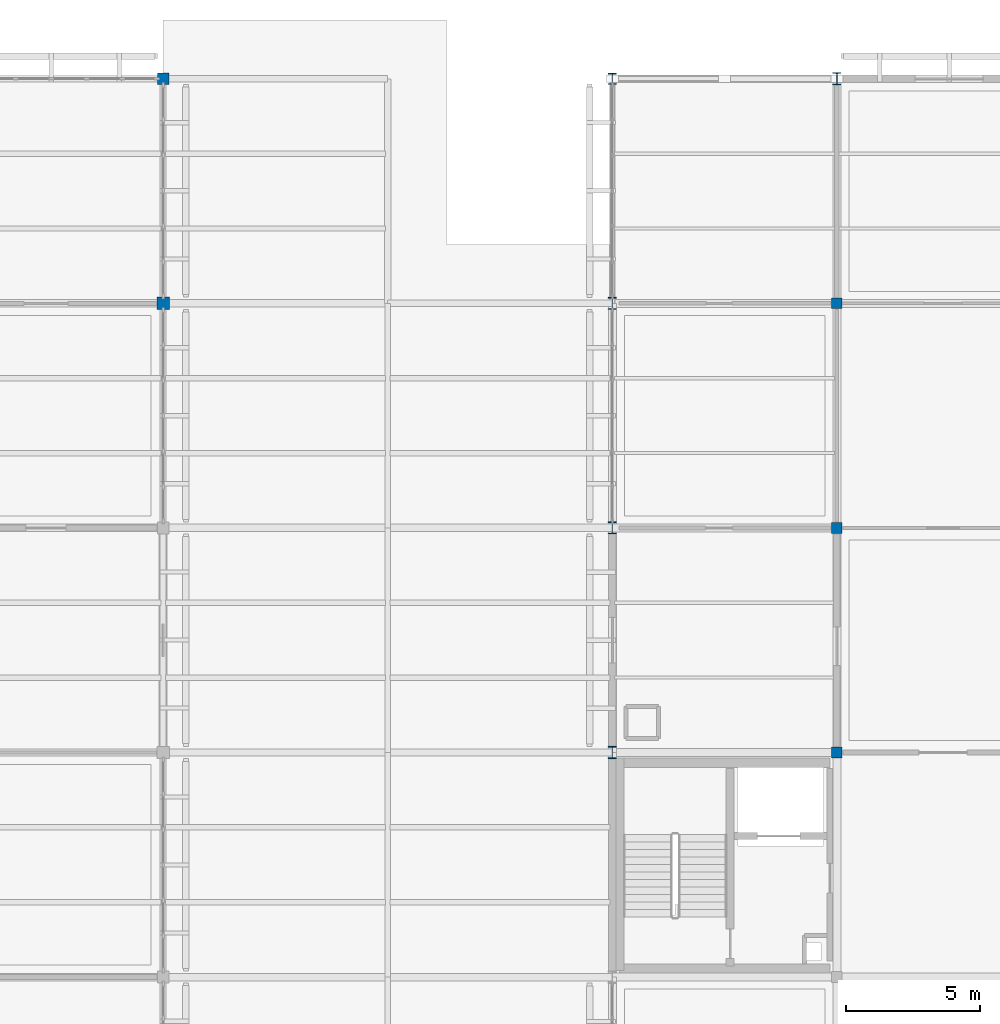
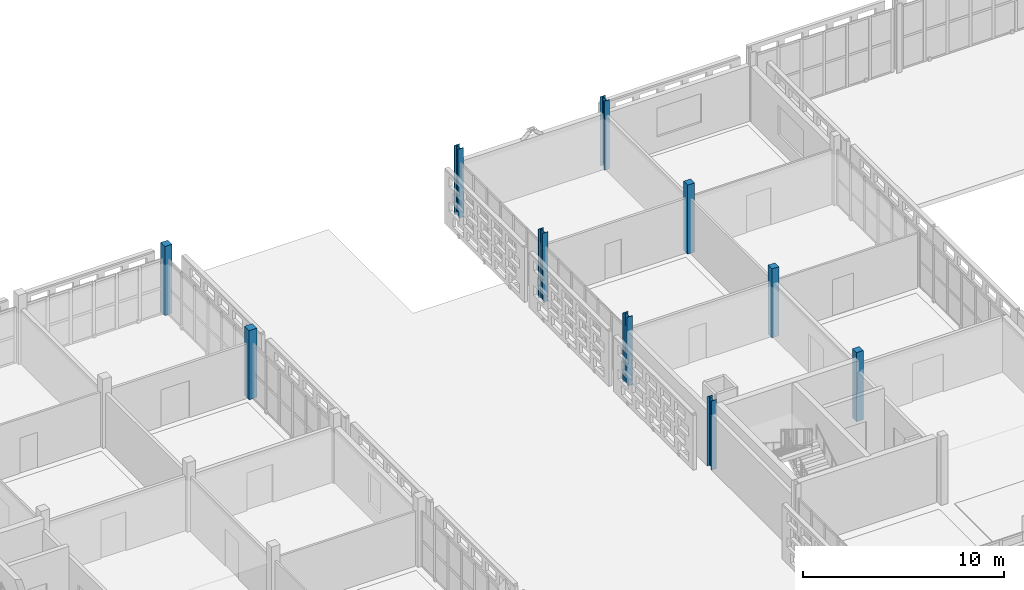
# One storey, part 6 of 166: 10 columns.
"""IFC4 building model written with IfcOpenShell, lengths in metres."""

from ifc_helpers import new_model, si_unit, direction, frame, origin, origin_2d, place, context, subcontext, project, spatial, rectangle, i_section, extrude, material, material_profile, profile_set, type_object, element, save


model = new_model("IFC4")

# Units and contexts
model_context = context("Model", 3, precision=1e-05, world=origin(), true_north=direction((0.0, 1.0)))
body_context = subcontext(model_context, "Body", "Model", "MODEL_VIEW")
ifc_project = project(units=[si_unit("LENGTHUNIT", "METRE"), si_unit("AREAUNIT", "SQUARE_METRE"), si_unit("VOLUMEUNIT", "CUBIC_METRE"), si_unit("PLANEANGLEUNIT", "RADIAN"), si_unit("MASSUNIT", "GRAM", prefix="KILO")], contexts=[model_context])

# Site, building, storey
site_placement = place(None, origin())
site = spatial("IfcSite", under=ifc_project, at=site_placement, CompositionType="ELEMENT")
building_placement = place(site_placement, origin())
building = spatial("IfcBuilding", under=site, at=building_placement, Name="Varnapada Polytechnic", CompositionType="ELEMENT")
storey_placement = place(building_placement, frame((0.0, 0.0, 9.60009765625)))
storey = spatial("IfcBuildingStorey", under=building, at=storey_placement, Name="L02", CompositionType="ELEMENT", Elevation=9.60009765625)

# Columns
ifc_material_1 = material(Name="Steel S355", Category="steel")
ifc_material_profile_1 = material_profile(ifc_material_1, i_section(OverallWidth=0.300048828125, OverallDepth=0.449951171875, WebThickness=0.013916015625, FlangeThickness=0.02587890625, FilletRadius=0.027099609375, at=origin_2d()), Name="HEB 450")
ifc_profile_set_1 = profile_set([ifc_material_profile_1], Name="Steel S355")
column_type_1 = type_object("IfcColumnType", Name="Column C-07 (HEB 450)", PredefinedType="COLUMN", material=ifc_profile_set_1)
for number, where, z_axis, x_axis, name in (
    (1, (50.39990234375, 100.800048828125, 0.0), (0.0, 0.0, 1.0), (1.0, 0.0, 0.0), "L02 column 7/13"),
    (2, (50.39990234375, 109.199951171875, 0.0), (0.0, 0.0, 1.0), (1.0, 0.0, 0.0), "L02 column 7/14"),
    (3, (50.39990234375, 117.60009765625, 0.0), (0.0, 0.0, 1.0), (1.0, 0.0, 0.0), "L02 column 7/15"),
    (4, (58.800048828125, 126.0, 0.0), (0.0, 0.0, 1.0), (1.0, 0.0, 0.0), "L02 column 8/16"),
):
    element("IfcColumn", number, at=place(storey_placement, frame(where, z_axis=z_axis, x_axis=x_axis)), inside=storey, type_object=column_type_1, Name=name, PredefinedType="COLUMN", context=body_context, shape_type="SweptSolid", body=[
        extrude(i_section(OverallWidth=0.300048828125, OverallDepth=0.449951171875, WebThickness=0.013916015625, FlangeThickness=0.02587890625, FilletRadius=0.027099609375, at=origin_2d()), origin(), (0.0, 0.0, 1.0), 4.199951171875),
    ])
ifc_material_profile_2 = material_profile(ifc_material_1, i_section(OverallWidth=0.300048828125, OverallDepth=0.39990234375, WebThickness=0.013427734375, FlangeThickness=0.02392578125, FilletRadius=0.027099609375, at=origin_2d()), Name="HEB 400")
ifc_profile_set_2 = profile_set([ifc_material_profile_2], Name="Steel S355")
column_type_2 = type_object("IfcColumnType", Name="Column C-08 (HEB 400)", PredefinedType="COLUMN", material=ifc_profile_set_2)
column_1_placement = place(storey_placement, frame((50.39990234375, 126.0, 0.0), z_axis=(0.0, 0.0, 1.0), x_axis=(1.0, 0.0, 0.0)))
element("IfcColumn", 5, at=column_1_placement, inside=storey, type_object=column_type_2, Name="L02 column 7/16", PredefinedType="COLUMN", context=body_context, shape_type="SweptSolid", body=[
    extrude(i_section(OverallWidth=0.300048828125, OverallDepth=0.39990234375, WebThickness=0.013427734375, FlangeThickness=0.02392578125, FilletRadius=0.027099609375, at=origin_2d()), origin(), (0.0, 0.0, 1.0), 4.199951171875),
])
ifc_material_2 = material(Name="Glulam GL32h", Category="wood")
ifc_material_profile_3 = material_profile(ifc_material_2, rectangle(XDim=0.4599609375, YDim=0.4599609375, at=origin_2d()), Name="GL 460x460")
ifc_profile_set_3 = profile_set([ifc_material_profile_3], Name="Glulam GL32h")
column_type_3 = type_object("IfcColumnType", Name="Column C-12 (GL 460x460)", PredefinedType="COLUMN", material=ifc_profile_set_3)
column_2_placement = place(storey_placement, frame((33.60009765625, 117.60009765625, 0.0), z_axis=(0.0, 0.0, 1.0), x_axis=(1.0, 0.0, 0.0)))
element("IfcColumn", 6, at=column_2_placement, inside=storey, type_object=column_type_3, Name="L02 column 5/15", PredefinedType="COLUMN", context=body_context, shape_type="SweptSolid", body=[
    extrude(rectangle(XDim=0.4599609375, YDim=0.4599609375, at=origin_2d()), origin(), (0.0, 0.0, 1.0), 4.199951171875),
])
ifc_material_profile_4 = material_profile(ifc_material_2, rectangle(XDim=0.39990234375, YDim=0.39990234375, at=origin_2d()), Name="GL 400x400")
ifc_profile_set_4 = profile_set([ifc_material_profile_4], Name="Glulam GL32h")
column_type_4 = type_object("IfcColumnType", Name="Column C-13 (GL 400x400)", PredefinedType="COLUMN", material=ifc_profile_set_4)
for number, where, z_axis, x_axis, name in (
    (7, (58.800048828125, 100.800048828125, 0.0), (0.0, 0.0, 1.0), (1.0, 0.0, 0.0), "L02 column 8/13"),
    (8, (58.800048828125, 109.199951171875, 0.0), (0.0, 0.0, 1.0), (1.0, 0.0, 0.0), "L02 column 8/14"),
    (9, (58.800048828125, 117.60009765625, 0.0), (0.0, 0.0, 1.0), (1.0, 0.0, 0.0), "L02 column 8/15"),
):
    element("IfcColumn", number, at=place(storey_placement, frame(where, z_axis=z_axis, x_axis=x_axis)), inside=storey, type_object=column_type_4, Name=name, PredefinedType="COLUMN", context=body_context, shape_type="SweptSolid", body=[
        extrude(rectangle(XDim=0.39990234375, YDim=0.39990234375, at=origin_2d()), origin(), (0.0, 0.0, 1.0), 4.199951171875),
    ])
ifc_material_profile_5 = material_profile(ifc_material_2, rectangle(XDim=0.419921875, YDim=0.419921875, at=origin_2d()), Name="GL 420x420")
ifc_profile_set_5 = profile_set([ifc_material_profile_5], Name="Glulam GL32h")
column_type_5 = type_object("IfcColumnType", Name="Column C-23 (GL 420x420)", PredefinedType="COLUMN", material=ifc_profile_set_5)
column_3_placement = place(storey_placement, frame((33.60009765625, 126.0, 0.0), z_axis=(0.0, 0.0, 1.0), x_axis=(1.0, 0.0, 0.0)))
element("IfcColumn", 10, at=column_3_placement, inside=storey, type_object=column_type_5, Name="L02 column 5/16", PredefinedType="COLUMN", context=body_context, shape_type="SweptSolid", body=[
    extrude(rectangle(XDim=0.419921875, YDim=0.419921875, at=origin_2d()), origin(), (0.0, 0.0, 1.0), 4.199951171875),
])

save(model, "model.ifc")
